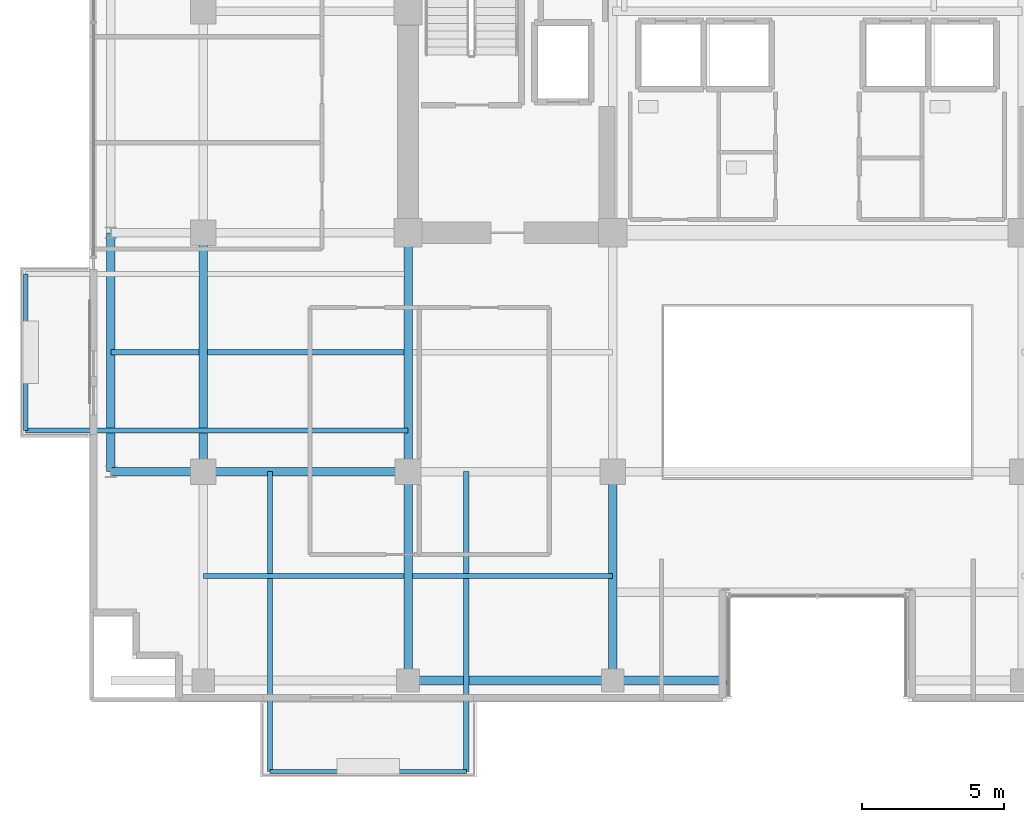
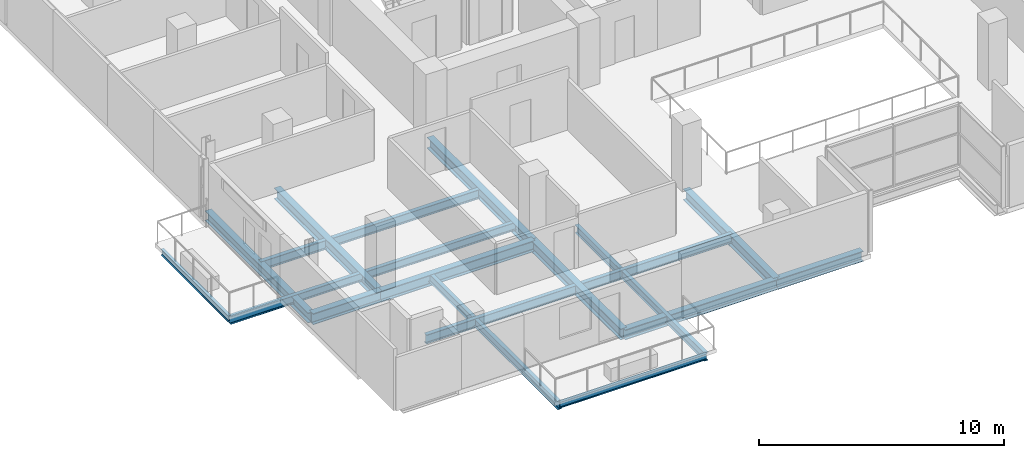
# One storey, part 2 of 23: 18 beams.
"""IFC4 building model written with IfcOpenShell, lengths in metres."""

from ifc_helpers import new_model, si_unit, direction, frame, origin, origin_2d, place, context, subcontext, project, spatial, i_section, extrude, material, material_profile, profile_set, type_object, element, save


model = new_model("IFC4")

# Units and contexts
model_context = context("Model", 3, precision=1e-05, world=origin(), true_north=direction((0.0, 1.0)))
body_context = subcontext(model_context, "Body", "Model", "MODEL_VIEW")
ifc_project = project(units=[si_unit("LENGTHUNIT", "METRE"), si_unit("AREAUNIT", "SQUARE_METRE"), si_unit("VOLUMEUNIT", "CUBIC_METRE"), si_unit("PLANEANGLEUNIT", "RADIAN"), si_unit("MASSUNIT", "GRAM", prefix="KILO")], contexts=[model_context])

# Site, building, storey
site_placement = place(None, origin())
site = spatial("IfcSite", under=ifc_project, at=site_placement, CompositionType="ELEMENT")
building_placement = place(site_placement, origin())
building = spatial("IfcBuilding", under=site, at=building_placement, Name="Zarnakvel Exchange Tower", CompositionType="ELEMENT")
storey_placement = place(building_placement, frame((0.0, 0.0, 116.5)))
storey = spatial("IfcBuildingStorey", under=building, at=storey_placement, Name="L32", CompositionType="ELEMENT", Elevation=116.5)

# Beams
ifc_material = material(Name="Steel S355", Category="steel")
ifc_material_profile_1 = material_profile(ifc_material, i_section(OverallWidth=0.18994140625, OverallDepth=0.449951171875, WebThickness=0.009521484375, FlangeThickness=0.0146484375, FilletRadius=0.02099609375, at=origin_2d()))
ifc_profile_set_1 = profile_set([ifc_material_profile_1], Name="Steel S355")
beam_type_1 = type_object("IfcBeamType", Name="B-05", PredefinedType="JOIST", material=ifc_profile_set_1)
for number, where, z_axis, x_axis, name in (
    (1, (-21.60009765625, -13.27490234375, -0.449951171875), (1.0, 0.0, 0.0), (0.0, 1.0, 0.0), "L32 Composite Floor Secondary Joist"),
    (2, (-14.25, -13.27490234375, -0.449951171875), (1.0, 0.0, 0.0), (0.0, 1.0, 0.0), "L32 Composite Floor Secondary Joist"),
):
    element("IfcBeam", number, at=place(storey_placement, frame(where, z_axis=z_axis, x_axis=x_axis)), inside=storey, type_object=beam_type_1, Name=name, PredefinedType="JOIST", context=body_context, shape_type="SweptSolid", body=[
        extrude(i_section(OverallWidth=0.18994140625, OverallDepth=0.449951171875, WebThickness=0.009521484375, FlangeThickness=0.0146484375, FilletRadius=0.02099609375, at=origin_2d()), origin(), (0.0, 0.0, 1.0), 7.050048828125),
    ])
beam_1_placement = place(storey_placement, frame((-24.85009765625, -5.39990234375, -0.449951171875), z_axis=(1.0, 0.0, 0.0), x_axis=(0.0, 1.0, 0.0)))
element("IfcBeam", 3, at=beam_1_placement, inside=storey, type_object=beam_type_1, Name="L32 Composite Floor Secondary Joist", PredefinedType="JOIST", context=body_context, shape_type="SweptSolid", body=[
    extrude(i_section(OverallWidth=0.18994140625, OverallDepth=0.449951171875, WebThickness=0.009521484375, FlangeThickness=0.0146484375, FilletRadius=0.02099609375, at=origin_2d()), origin(), (0.0, 0.0, 1.0), 3.10009765625),
])
beam_2_placement = place(storey_placement, frame((-21.449951171875, -5.39990234375, -0.449951171875), z_axis=(1.0, 0.0, 0.0), x_axis=(0.0, 1.0, 0.0)))
element("IfcBeam", 4, at=beam_2_placement, inside=storey, type_object=beam_type_1, Name="L32 Composite Floor Secondary Joist", PredefinedType="JOIST", context=body_context, shape_type="SweptSolid", body=[
    extrude(i_section(OverallWidth=0.18994140625, OverallDepth=0.449951171875, WebThickness=0.009521484375, FlangeThickness=0.0146484375, FilletRadius=0.02099609375, at=origin_2d()), origin(), (0.0, 0.0, 1.0), 6.89990234375),
])
ifc_material_profile_2 = material_profile(ifc_material, i_section(OverallWidth=0.179931640625, OverallDepth=0.39990234375, WebThickness=0.008544921875, FlangeThickness=0.013427734375, FilletRadius=0.02099609375, at=origin_2d()))
ifc_profile_set_2 = profile_set([ifc_material_profile_2], Name="Steel S355")
beam_type_2 = type_object("IfcBeamType", Name="B-06", PredefinedType="JOIST", material=ifc_profile_set_2)
for number, where, z_axis, x_axis, name in (
    (5, (-19.25, -9.60009765625, -0.425048828125), (0.0, -1.0, 0.0), (1.0, 0.0, 0.0), "L32 Continuous Back-Spanned Balcony Beam W"),
    (6, (-12.35009765625, -9.60009765625, -0.425048828125), (0.0, -1.0, 0.0), (1.0, 0.0, 0.0), "L32 Continuous Back-Spanned Balcony Beam E"),
):
    element("IfcBeam", number, at=place(storey_placement, frame(where, z_axis=z_axis, x_axis=x_axis)), inside=storey, type_object=beam_type_2, Name=name, PredefinedType="JOIST", context=body_context, shape_type="SweptSolid", body=[
        extrude(i_section(OverallWidth=0.179931640625, OverallDepth=0.39990234375, WebThickness=0.008544921875, FlangeThickness=0.013427734375, FilletRadius=0.02099609375, at=origin_2d()), origin(), (0.0, 0.0, 1.0), 10.5498046875),
    ])
beam_3_placement = place(storey_placement, frame((-14.39990234375, -8.14990234375, -0.425048828125), z_axis=(-1.0, 0.0, 0.0), x_axis=(0.0, -1.0, 0.0)))
element("IfcBeam", 7, at=beam_3_placement, inside=storey, type_object=beam_type_2, Name="L32 Continuous West Loggia Beam S", PredefinedType="JOIST", context=body_context, shape_type="SweptSolid", body=[
    extrude(i_section(OverallWidth=0.179931640625, OverallDepth=0.39990234375, WebThickness=0.008544921875, FlangeThickness=0.013427734375, FilletRadius=0.02099609375, at=origin_2d()), origin(), (0.0, 0.0, 1.0), 13.4501953125),
])
ifc_material_profile_3 = material_profile(ifc_material, i_section(OverallWidth=0.14990234375, OverallDepth=0.300048828125, WebThickness=0.007080078125, FlangeThickness=0.0107421875, FilletRadius=0.014892578125, at=origin_2d()))
ifc_profile_set_3 = profile_set([ifc_material_profile_3], Name="Steel S355")
beam_type_3 = type_object("IfcBeamType", Name="B-08", PredefinedType="JOIST", material=ifc_profile_set_3)
beam_4_placement = place(storey_placement, frame((-19.25, -20.14990234375, -0.375), z_axis=(1.0, 0.0, 0.0), x_axis=(0.0, 1.0, 0.0)))
element("IfcBeam", 8, at=beam_4_placement, inside=storey, type_object=beam_type_3, Name="L32 Balcony Edge Beam", PredefinedType="JOIST", context=body_context, shape_type="SweptSolid", body=[
    extrude(i_section(OverallWidth=0.14990234375, OverallDepth=0.300048828125, WebThickness=0.007080078125, FlangeThickness=0.0107421875, FilletRadius=0.014892578125, at=origin_2d()), origin(), (0.0, 0.0, 1.0), 6.89990234375),
])
beam_5_placement = place(storey_placement, frame((-27.85009765625, -8.14990234375, -0.375), z_axis=(0.0, 1.0, 0.0), x_axis=(-1.0, 0.0, 0.0)))
element("IfcBeam", 9, at=beam_5_placement, inside=storey, type_object=beam_type_3, Name="L32 West Loggia Edge Beam", PredefinedType="JOIST", context=body_context, shape_type="SweptSolid", body=[
    extrude(i_section(OverallWidth=0.14990234375, OverallDepth=0.300048828125, WebThickness=0.007080078125, FlangeThickness=0.0107421875, FilletRadius=0.014892578125, at=origin_2d()), origin(), (0.0, 0.0, 1.0), 5.5),
])
ifc_material_profile_4 = material_profile(ifc_material, i_section(OverallWidth=0.300048828125, OverallDepth=0.550048828125, WebThickness=0.014892578125, FlangeThickness=0.029052734375, FilletRadius=0.027099609375, at=origin_2d()))
ifc_profile_set_4 = profile_set([ifc_material_profile_4], Name="Steel S355")
beam_type_4 = type_object("IfcBeamType", Name="G-05", PredefinedType="BEAM", material=ifc_profile_set_4)
beam_6_placement = place(storey_placement, frame((-24.85009765625, -9.60009765625, -0.5), z_axis=(1.0, 0.0, 0.0), x_axis=(0.0, 1.0, 0.0)))
element("IfcBeam", 10, at=beam_6_placement, inside=storey, type_object=beam_type_4, Name="L32 Tower E-W Frame Beam", PredefinedType="BEAM", context=body_context, shape_type="SweptSolid", body=[
    extrude(i_section(OverallWidth=0.300048828125, OverallDepth=0.550048828125, WebThickness=0.014892578125, FlangeThickness=0.029052734375, FilletRadius=0.027099609375, at=origin_2d()), origin(), (0.0, 0.0, 1.0), 3.25),
])
beam_7_placement = place(storey_placement, frame((-21.60009765625, -9.60009765625, -0.5), z_axis=(1.0, 0.0, 0.0), x_axis=(0.0, 1.0, 0.0)))
element("IfcBeam", 11, at=beam_7_placement, inside=storey, type_object=beam_type_4, Name="L32 Tower E-W Frame Beam", PredefinedType="BEAM", context=body_context, shape_type="SweptSolid", body=[
    extrude(i_section(OverallWidth=0.300048828125, OverallDepth=0.550048828125, WebThickness=0.014892578125, FlangeThickness=0.029052734375, FilletRadius=0.027099609375, at=origin_2d()), origin(), (0.0, 0.0, 1.0), 7.2001953125),
])
beam_8_placement = place(storey_placement, frame((-21.60009765625, -9.60009765625, -0.5), z_axis=(0.0, 1.0, 0.0), x_axis=(-1.0, 0.0, 0.0)))
element("IfcBeam", 12, at=beam_8_placement, inside=storey, type_object=beam_type_4, Name="L32 Tower N-S Frame Beam", PredefinedType="BEAM", context=body_context, shape_type="SweptSolid", body=[
    extrude(i_section(OverallWidth=0.300048828125, OverallDepth=0.550048828125, WebThickness=0.014892578125, FlangeThickness=0.029052734375, FilletRadius=0.027099609375, at=origin_2d()), origin(), (0.0, 0.0, 1.0), 8.400146484375),
])
beam_9_placement = place(storey_placement, frame((-14.39990234375, -16.949951171875, -0.5), z_axis=(0.0, 1.0, 0.0), x_axis=(-1.0, 0.0, 0.0)))
element("IfcBeam", 13, at=beam_9_placement, inside=storey, type_object=beam_type_4, Name="L32 Tower N-S Frame Beam", PredefinedType="BEAM", context=body_context, shape_type="SweptSolid", body=[
    extrude(i_section(OverallWidth=0.300048828125, OverallDepth=0.550048828125, WebThickness=0.014892578125, FlangeThickness=0.029052734375, FilletRadius=0.027099609375, at=origin_2d()), origin(), (0.0, 0.0, 1.0), 7.349853515625),
])
beam_10_placement = place(storey_placement, frame((-14.39990234375, -9.60009765625, -0.5), z_axis=(0.0, 1.0, 0.0), x_axis=(-1.0, 0.0, 0.0)))
element("IfcBeam", 14, at=beam_10_placement, inside=storey, type_object=beam_type_4, Name="L32 Tower N-S Frame Beam", PredefinedType="BEAM", context=body_context, shape_type="SweptSolid", body=[
    extrude(i_section(OverallWidth=0.300048828125, OverallDepth=0.550048828125, WebThickness=0.014892578125, FlangeThickness=0.029052734375, FilletRadius=0.027099609375, at=origin_2d()), origin(), (0.0, 0.0, 1.0), 8.400146484375),
])
beam_11_placement = place(storey_placement, frame((-7.199951171875, -16.949951171875, -0.5), z_axis=(0.0, 1.0, 0.0), x_axis=(-1.0, 0.0, 0.0)))
element("IfcBeam", 15, at=beam_11_placement, inside=storey, type_object=beam_type_4, Name="L32 Tower N-S Frame Beam", PredefinedType="BEAM", context=body_context, shape_type="SweptSolid", body=[
    extrude(i_section(OverallWidth=0.300048828125, OverallDepth=0.550048828125, WebThickness=0.014892578125, FlangeThickness=0.029052734375, FilletRadius=0.027099609375, at=origin_2d()), origin(), (0.0, 0.0, 1.0), 7.349853515625),
])
ifc_material_profile_5 = material_profile(ifc_material, i_section(OverallWidth=0.300048828125, OverallDepth=0.5, WebThickness=0.014404296875, FlangeThickness=0.028076171875, FilletRadius=0.027099609375, at=origin_2d()))
ifc_profile_set_5 = profile_set([ifc_material_profile_5], Name="Steel S355")
beam_type_5 = type_object("IfcBeamType", Name="SP-02", PredefinedType="SPANDREL", material=ifc_profile_set_5)
beam_12_placement = place(storey_placement, frame((-14.39990234375, -16.949951171875, -0.47509765625), z_axis=(1.0, 0.0, 0.0), x_axis=(0.0, 1.0, 0.0)))
element("IfcBeam", 16, at=beam_12_placement, inside=storey, type_object=beam_type_5, Name="L32 Tower E-W Frame Beam", PredefinedType="SPANDREL", context=body_context, shape_type="SweptSolid", body=[
    extrude(i_section(OverallWidth=0.300048828125, OverallDepth=0.5, WebThickness=0.014404296875, FlangeThickness=0.028076171875, FilletRadius=0.027099609375, at=origin_2d()), origin(), (0.0, 0.0, 1.0), 7.199951171875),
])
beam_13_placement = place(storey_placement, frame((-7.199951171875, -16.949951171875, -0.47509765625), z_axis=(1.0, 0.0, 0.0), x_axis=(0.0, 1.0, 0.0)))
element("IfcBeam", 17, at=beam_13_placement, inside=storey, type_object=beam_type_5, Name="L32 South Slot West Jamb Spandrel", PredefinedType="SPANDREL", context=body_context, shape_type="SweptSolid", body=[
    extrude(i_section(OverallWidth=0.300048828125, OverallDepth=0.5, WebThickness=0.014404296875, FlangeThickness=0.028076171875, FilletRadius=0.027099609375, at=origin_2d()), origin(), (0.0, 0.0, 1.0), 4.0),
])
beam_14_placement = place(storey_placement, frame((-24.85009765625, -9.60009765625, -0.47509765625), z_axis=(0.0, 1.0, 0.0), x_axis=(-1.0, 0.0, 0.0)))
element("IfcBeam", 18, at=beam_14_placement, inside=storey, type_object=beam_type_5, Name="L32 Tower N-S Frame Beam", PredefinedType="SPANDREL", context=body_context, shape_type="SweptSolid", body=[
    extrude(i_section(OverallWidth=0.300048828125, OverallDepth=0.5, WebThickness=0.014404296875, FlangeThickness=0.028076171875, FilletRadius=0.027099609375, at=origin_2d()), origin(), (0.0, 0.0, 1.0), 8.400146484375),
])

save(model, "model.ifc")
